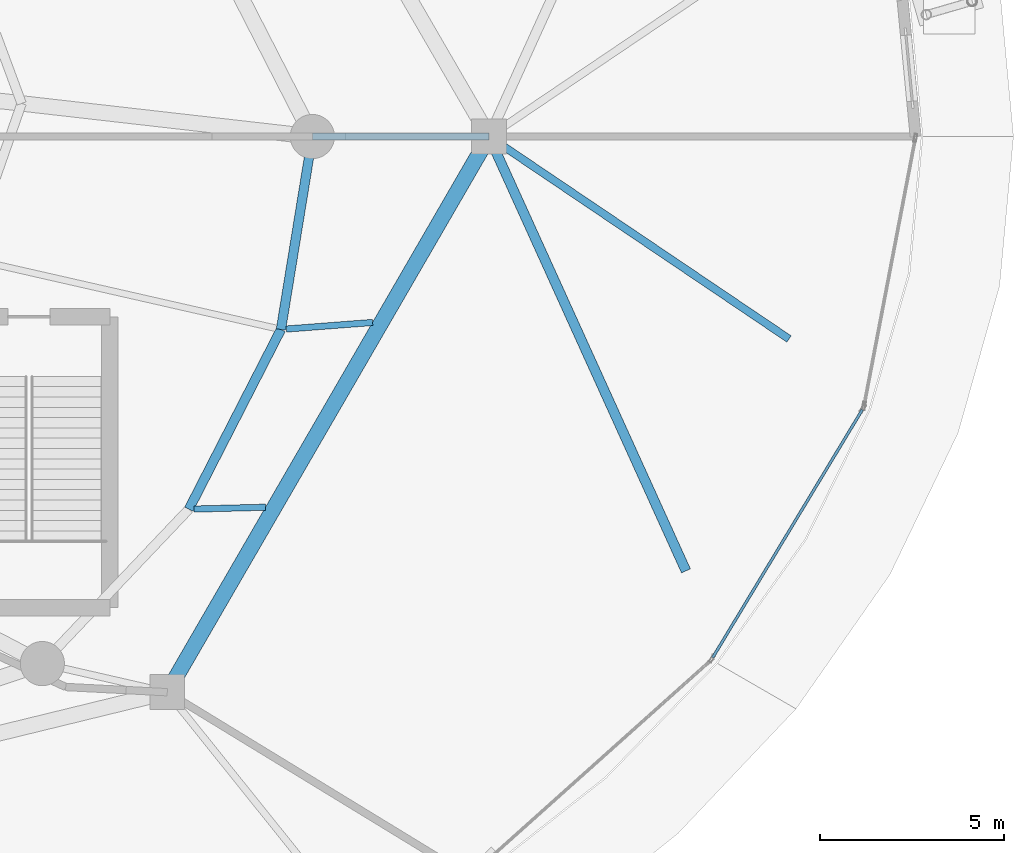
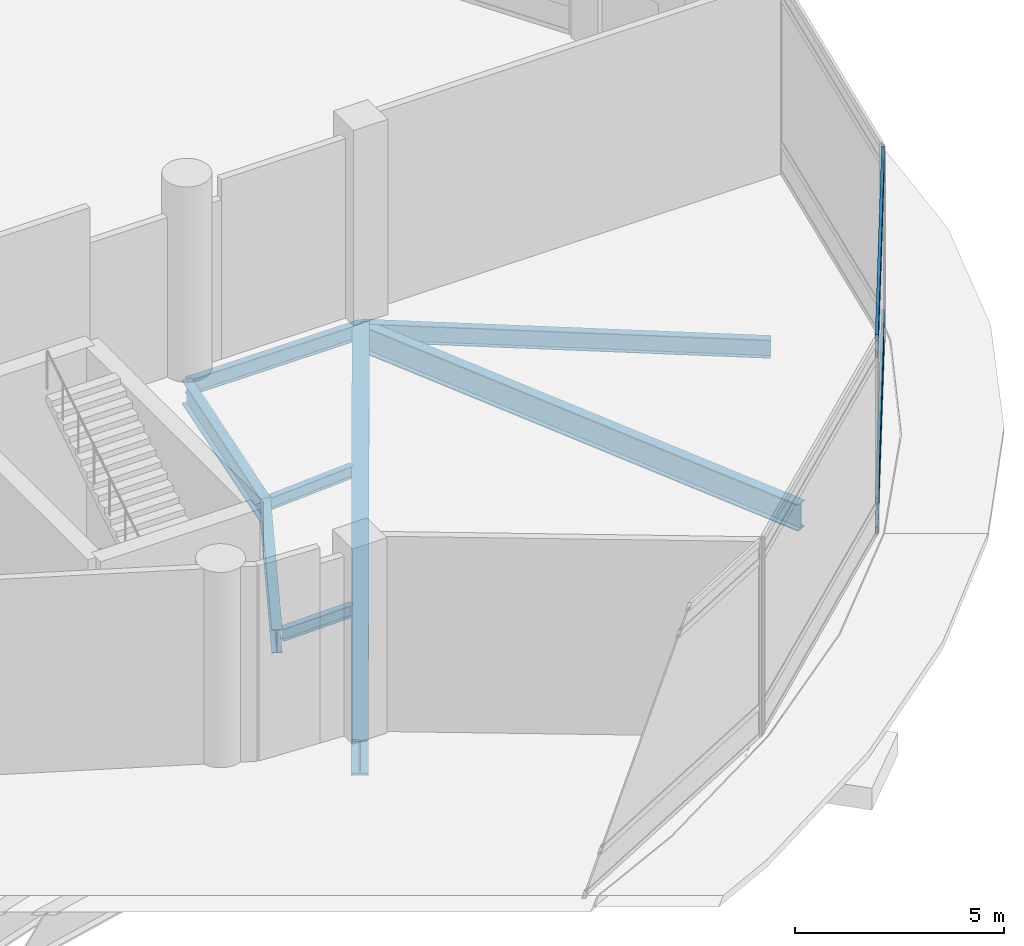
# One storey, part 23 of 40: 8 beams, 4 members, 1 element without a shape of its own.
"""IFC4 building model written with IfcOpenShell, lengths in metres."""

from ifc_helpers import new_model, si_unit, direction, frame, origin, origin_2d, place, context, subcontext, project, spatial, hollow_rectangle, i_section, extrude, material, layer, layer_set, material_profile, profile_set, type_object, element, aggregate, save


model = new_model("IFC4")

# Units and contexts
model_context = context("Model", 3, precision=1e-05, world=origin(), true_north=direction((0.0, 1.0)))
body_context = subcontext(model_context, "Body", "Model", "MODEL_VIEW")
ifc_project = project(units=[si_unit("LENGTHUNIT", "METRE"), si_unit("AREAUNIT", "SQUARE_METRE"), si_unit("VOLUMEUNIT", "CUBIC_METRE"), si_unit("PLANEANGLEUNIT", "RADIAN"), si_unit("MASSUNIT", "GRAM", prefix="KILO")], contexts=[model_context])

# Site, building, storey
site_placement = place(None, origin())
site = spatial("IfcSite", under=ifc_project, at=site_placement, CompositionType="ELEMENT")
building_placement = place(site_placement, origin())
building = spatial("IfcBuilding", under=site, at=building_placement, Name="Nuhasar Tower", CompositionType="ELEMENT")
storey_placement = place(building_placement, origin())
storey = spatial("IfcBuildingStorey", under=building, at=storey_placement, Name="L00", CompositionType="ELEMENT", Elevation=0.0)

# Beams
ifc_material_1 = material(Name="Steel S355", Category="steel")
ifc_material_profile_1 = material_profile(ifc_material_1, i_section(OverallWidth=0.1708984375, OverallDepth=0.35205078125, WebThickness=0.0068359375, FlangeThickness=0.009765625, at=origin_2d()), Name="W14X30")
ifc_profile_set_1 = profile_set([ifc_material_profile_1], Name="Steel S355")
beam_type_1 = type_object("IfcBeamType", Name="BM-JST-W14X30", PredefinedType="JOIST", material=ifc_profile_set_1)
beam_1_placement = place(storey_placement, frame((60.8349609375, 16.678955078125, -0.49609375), z_axis=(0.999669118489, 0.025722626998, 0.0), x_axis=(-0.025722626998, 0.999669118489, 0.0)))
element("IfcBeam", 1, at=beam_1_placement, inside=storey, type_object=beam_type_1, Name="L00 Podium Secondary Joist 05", PredefinedType="JOIST", context=body_context, shape_type="SweptSolid", body=[
    extrude(i_section(OverallWidth=0.1708984375, OverallDepth=0.35205078125, WebThickness=0.0068359375, FlangeThickness=0.009765625, at=origin_2d()), origin(), (0.0, 0.0, 1.0), 1.94580078125),
])
beam_2_placement = place(storey_placement, frame((63.341064453125, 21.570068359375, -0.49609375), z_axis=(0.997103115236, 0.076061669629, 0.0), x_axis=(-0.076061669629, 0.997103115236, 0.0)))
element("IfcBeam", 2, at=beam_2_placement, inside=storey, type_object=beam_type_1, Name="L00 Podium Secondary Joist 06", PredefinedType="JOIST", context=body_context, shape_type="SweptSolid", body=[
    extrude(i_section(OverallWidth=0.1708984375, OverallDepth=0.35205078125, WebThickness=0.0068359375, FlangeThickness=0.009765625, at=origin_2d()), origin(), (0.0, 0.0, 1.0), 2.352783203125),
])
ifc_material_profile_2 = material_profile(ifc_material_1, i_section(OverallWidth=0.18994140625, OverallDepth=0.45703125, WebThickness=0.009033203125, FlangeThickness=0.014404296875, at=origin_2d()), Name="W18X50")
ifc_profile_set_2 = profile_set([ifc_material_profile_2], Name="Steel S355")
beam_type_2 = type_object("IfcBeamType", Name="BM-RAD-W18X50", PredefinedType="BEAM", material=ifc_profile_set_2)
beam_3_placement = place(storey_placement, frame((64.050048828125, 26.800048828125, -0.548095703125), z_axis=(1.0, 0.0, 0.0), x_axis=(0.0, 1.0, 0.0)))
element("IfcBeam", 3, at=beam_3_placement, inside=storey, type_object=beam_type_2, Name="L00 Podium Radial Girder 04", PredefinedType="BEAM", context=body_context, shape_type="SweptSolid", body=[
    extrude(i_section(OverallWidth=0.18994140625, OverallDepth=0.45703125, WebThickness=0.009033203125, FlangeThickness=0.014404296875, at=origin_2d()), origin(), (0.0, 0.0, 1.0), 4.800048828125),
])
ifc_material_profile_3 = material_profile(ifc_material_1, i_section(OverallWidth=0.208984375, OverallDepth=0.532958984375, WebThickness=0.01025390625, FlangeThickness=0.015625, at=origin_2d()), Name="W21X62")
ifc_profile_set_3 = profile_set([ifc_material_profile_3], Name="Steel S355")
beam_type_3 = type_object("IfcBeamType", Name="BM-RAD-W21X62", PredefinedType="BEAM", material=ifc_profile_set_3)
beam_4_placement = place(storey_placement, frame((68.85009765625, 26.800048828125, -0.5869140625), z_axis=(0.828904515443, -0.559390118145, 0.0), x_axis=(0.559390118145, 0.828904515443, 0.0)))
element("IfcBeam", 4, at=beam_4_placement, inside=storey, type_object=beam_type_3, Name="L00 Substructure Cap Tie Girder 04", PredefinedType="BEAM", context=body_context, shape_type="SweptSolid", body=[
    extrude(i_section(OverallWidth=0.208984375, OverallDepth=0.532958984375, WebThickness=0.01025390625, FlangeThickness=0.015625, at=origin_2d()), origin(), (0.0, 0.0, 1.0), 9.83203125),
])
ifc_material_profile_4 = material_profile(ifc_material_1, i_section(OverallWidth=0.26611328125, OverallDepth=0.779052734375, WebThickness=0.0166015625, FlangeThickness=0.030029296875, at=origin_2d()), Name="W30X148")
ifc_profile_set_4 = profile_set([ifc_material_profile_4], Name="Steel S355")
beam_type_4 = type_object("IfcBeamType", Name="BM-RAD-W30X148", PredefinedType="BEAM", material=ifc_profile_set_4)
beam_5_placement = place(storey_placement, frame((68.85009765625, 26.800048828125, -0.7099609375), z_axis=(0.412919682004, -0.910767443541, 0.0), x_axis=(0.910767443541, 0.412919682004, 0.0)))
element("IfcBeam", 5, at=beam_5_placement, inside=storey, type_object=beam_type_4, Name="L00 Substructure Cap Tie Girder 05", PredefinedType="BEAM", context=body_context, shape_type="SweptSolid", body=[
    extrude(i_section(OverallWidth=0.26611328125, OverallDepth=0.779052734375, WebThickness=0.0166015625, FlangeThickness=0.030029296875, at=origin_2d()), origin(), (0.0, 0.0, 1.0), 12.9560546875),
])
ifc_material_profile_5 = material_profile(ifc_material_1, i_section(OverallWidth=0.256103515625, OverallDepth=0.693115234375, WebThickness=0.014404296875, FlangeThickness=0.023681640625, at=origin_2d()), Name="W27X114")
ifc_profile_set_5 = profile_set([ifc_material_profile_5], Name="Steel S355")
beam_type_5 = type_object("IfcBeamType", Name="BM-RING-W27X114", PredefinedType="SPANDREL", material=ifc_profile_set_5)
beam_6_placement = place(storey_placement, frame((60.694091796875, 16.675048828125, -0.666015625), z_axis=(0.455930023905, 0.890015625314, 0.0), x_axis=(-0.890015625314, 0.455930023905, 0.0)))
element("IfcBeam", 6, at=beam_6_placement, inside=storey, type_object=beam_type_5, Name="L00 Mega-Column Perimeter Ring Spandrel 03-2", PredefinedType="SPANDREL", context=body_context, shape_type="SweptSolid", body=[
    extrude(i_section(OverallWidth=0.256103515625, OverallDepth=0.693115234375, WebThickness=0.014404296875, FlangeThickness=0.023681640625, at=origin_2d()), origin(), (0.0, 0.0, 1.0), 5.487548828125),
])
beam_7_placement = place(storey_placement, frame((63.196044921875, 21.55908203125, -0.666015625), z_axis=(0.160826635486, 0.986982671235, 0.0), x_axis=(-0.986982671235, 0.160826635486, 0.0)))
element("IfcBeam", 7, at=beam_7_placement, inside=storey, type_object=beam_type_5, Name="L00 Mega-Column Perimeter Ring Spandrel 03-3", PredefinedType="SPANDREL", context=body_context, shape_type="SweptSolid", body=[
    extrude(i_section(OverallWidth=0.256103515625, OverallDepth=0.693115234375, WebThickness=0.014404296875, FlangeThickness=0.023681640625, at=origin_2d()), origin(), (0.0, 0.0, 1.0), 5.31005859375),
])
ifc_material_2 = material(Name="Steel S460", Category="steel")
ifc_material_profile_6 = material_profile(ifc_material_2, i_section(OverallWidth=0.419921875, OverallDepth=1.0400390625, WebThickness=0.031005859375, FlangeThickness=0.055908203125, at=origin_2d()), Name="W40X397")
ifc_profile_set_6 = profile_set([ifc_material_profile_6], Name="Steel S460")
beam_type_6 = type_object("IfcBeamType", Name="BM-XFER-W40X397", PredefinedType="USERDEFINED", material=ifc_profile_set_6)
beam_8_placement = place(storey_placement, frame((60.10693359375, 11.702880859375, -0.840087890625), z_axis=(0.501152108266, 0.865359211184, 0.0), x_axis=(-0.865359211184, 0.501152108266, 0.0)))
element("IfcBeam", 8, at=beam_8_placement, inside=storey, type_object=beam_type_6, Name="L00 Podium Ring Girder 03", ObjectType="GIRDER", PredefinedType="USERDEFINED", context=body_context, shape_type="SweptSolid", body=[
    extrude(i_section(OverallWidth=0.419921875, OverallDepth=1.0400390625, WebThickness=0.031005859375, FlangeThickness=0.055908203125, at=origin_2d()), origin(), (0.0, 0.0, 1.0), 17.446044921875),
])

# Curtain wall, members
ifc_material_3 = material(Name="Aluminium 6063-T6", Category="aluminium")
ifc_layer = layer(ifc_material_3, 0.219970703125)
ifc_layer_set = layer_set([ifc_layer], Name="Aluminium 6063-T6")
curtain_wall_type = type_object("IfcCurtainWallType", Name="CW-PODIUM", PredefinedType="NOTDEFINED", material=ifc_layer_set)
curtain_wall_placement = place(storey_placement, origin())
curtain_wall = element("IfcCurtainWall", 9, at=curtain_wall_placement, inside=storey, type_object=curtain_wall_type, Name="L00 Podium Curtain Wall Bay 23", PredefinedType="NOTDEFINED")
ifc_material_profile_7 = material_profile(ifc_material_3, hollow_rectangle(XDim=0.074951171875, YDim=0.179931640625, WallThickness=0.00439453125, at=origin_2d()), Name="CWT-1")
ifc_profile_set_7 = profile_set([ifc_material_profile_7], Name="Aluminium 6063-T6")
member_type = type_object("IfcMemberType", Name="CW-TRN-S1", PredefinedType="USERDEFINED", material=ifc_profile_set_7)
member_1_placement = place(storey_placement, frame((74.9267578125, 12.644287109375, 0.03759765625), z_axis=(0.516759165872, 0.856130810383, 0.0), x_axis=(-0.856130810383, 0.516759165872, 0.0)))
member_1 = element("IfcMember", 10, at=member_1_placement, type_object=member_type, Name="CW-P1 transom 1.1", ObjectType="TRANSOM", PredefinedType="USERDEFINED", context=body_context, shape_type="SweptSolid", body=[
    extrude(hollow_rectangle(XDim=0.074951171875, YDim=0.179931640625, WallThickness=0.00439453125, at=origin_2d()), origin(), (0.0, 0.0, 1.0), 7.861572265625),
])
member_2_placement = place(storey_placement, frame((74.9267578125, 12.644287109375, 0.89990234375), z_axis=(0.516759165872, 0.856130810383, 0.0), x_axis=(-0.856130810383, 0.516759165872, 0.0)))
member_2 = element("IfcMember", 11, at=member_2_placement, type_object=member_type, Name="CW-P1 transom 1.2", ObjectType="TRANSOM", PredefinedType="USERDEFINED", context=body_context, shape_type="SweptSolid", body=[
    extrude(hollow_rectangle(XDim=0.074951171875, YDim=0.179931640625, WallThickness=0.00439453125, at=origin_2d()), origin(), (0.0, 0.0, 1.0), 7.861572265625),
])
member_3_placement = place(storey_placement, frame((74.9267578125, 12.644287109375, 5.14990234375), z_axis=(0.516759165872, 0.856130810383, 0.0), x_axis=(-0.856130810383, 0.516759165872, 0.0)))
member_3 = element("IfcMember", 12, at=member_3_placement, type_object=member_type, Name="CW-P1 transom 1.3", ObjectType="TRANSOM", PredefinedType="USERDEFINED", context=body_context, shape_type="SweptSolid", body=[
    extrude(hollow_rectangle(XDim=0.074951171875, YDim=0.179931640625, WallThickness=0.00439453125, at=origin_2d()), origin(), (0.0, 0.0, 1.0), 7.861572265625),
])
member_4_placement = place(storey_placement, frame((74.9267578125, 12.644287109375, 5.66259765625), z_axis=(0.516759165872, 0.856130810383, 0.0), x_axis=(-0.856130810383, 0.516759165872, 0.0)))
member_4 = element("IfcMember", 13, at=member_4_placement, type_object=member_type, Name="CW-P1 transom 1.4", ObjectType="TRANSOM", PredefinedType="USERDEFINED", context=body_context, shape_type="SweptSolid", body=[
    extrude(hollow_rectangle(XDim=0.074951171875, YDim=0.179931640625, WallThickness=0.00439453125, at=origin_2d()), origin(), (0.0, 0.0, 1.0), 7.861572265625),
])
aggregate(curtain_wall, [member_1, member_2, member_3, member_4])

save(model, "model.ifc")
